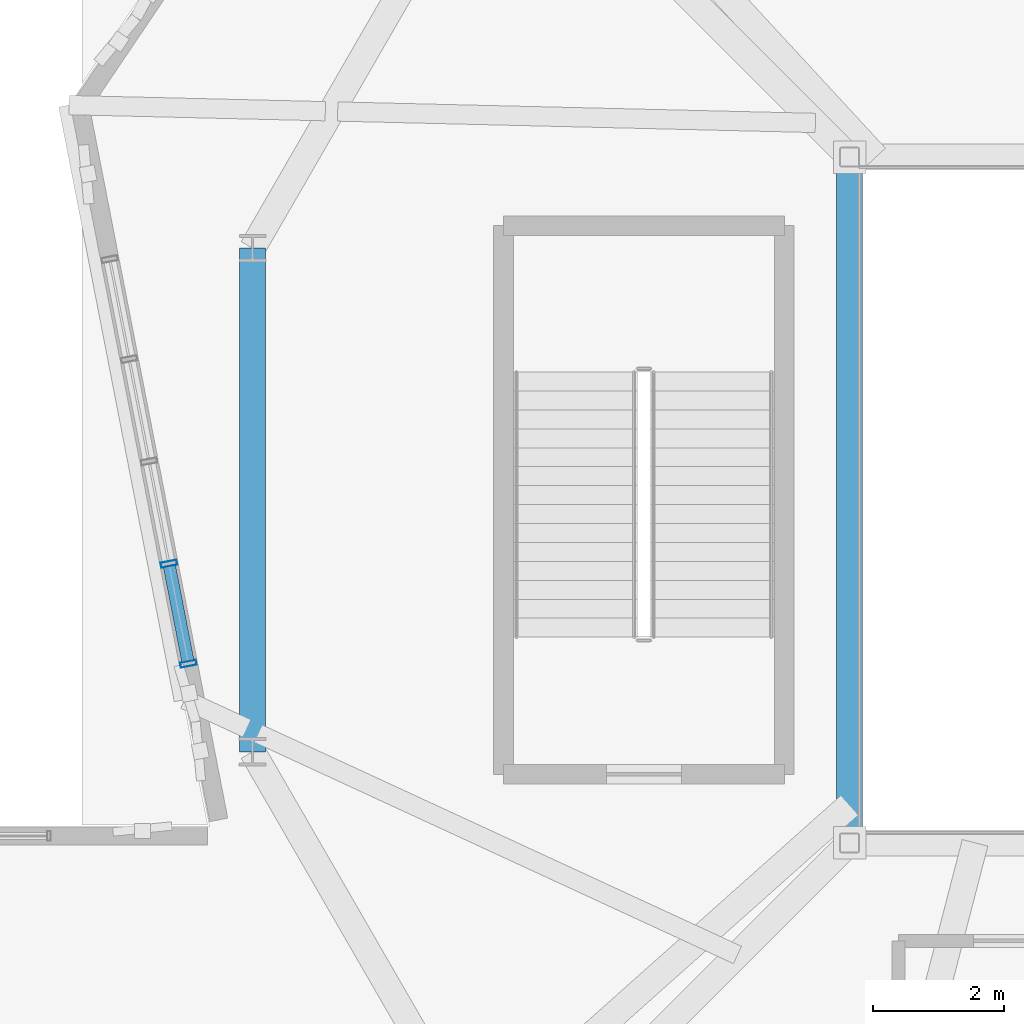
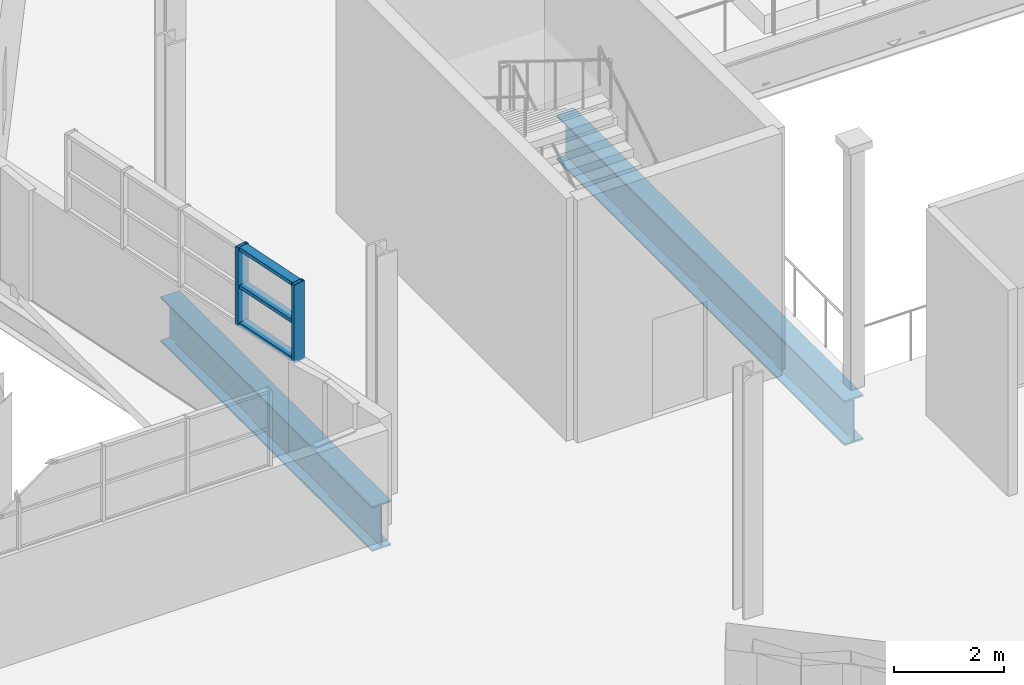
# One storey, part 27 of 142: 5 members, 2 beams, 1 element without a shape of its own.
"""IFC4 building model written with IfcOpenShell, lengths in metres."""

import ifcopenshell
import ifcopenshell.guid

model = None  # the IFC model being written
_history = None  # IfcOwnerHistory: only IFC2X3 demands one
_inside = {}  # id of a spatial element -> (the spatial element, [elements in it])
_under = {}  # id of a project, library or spatial element -> (it, [spatial elements below it])
_declared = {}  # id of a project -> (the project, [libraries it declares])
_typed = {}  # id of a type object -> (the type object, [elements of that type])
_made_of = {}  # id of a material, layer set ... -> (it, [elements and type objects made of it])


def new_model(schema):
    """Start an empty IFC model of exactly this schema.

    Asked for "IFC4X3", IfcOpenShell would pick the latest addendum, in which some entities
    have other attributes; the version numbers below select the first issue.
    IFC2X3 requires an IfcOwnerHistory on every rooted entity: one is made here for all.
    """
    global model, _history
    if schema == "IFC4X3":
        model = ifcopenshell.file(schema_version=(4, 3, 0, 0))
    else:
        model = ifcopenshell.file(schema=schema)
    _inside.clear()
    _under.clear()
    _declared.clear()
    _typed.clear()
    _made_of.clear()
    _history = None
    if model.schema == "IFC2X3":
        org = make("IfcOrganization", Name="unknown")
        user = make(
            "IfcPersonAndOrganization",
            ThePerson=make("IfcPerson", FamilyName="unknown"),
            TheOrganization=org,
        )
        app = make(
            "IfcApplication",
            ApplicationDeveloper=org,
            Version="unknown",
            ApplicationFullName="unknown",
            ApplicationIdentifier="unknown",
        )
        _history = make(
            "IfcOwnerHistory",
            OwningUser=user,
            OwningApplication=app,
            ChangeAction="ADDED",
            CreationDate=0,
        )
    return model


def make(cls, **values):
    """One entity of the class cls with the attributes given. An attribute that is None is left unset."""
    return model.create_entity(
        cls, **{name: value for name, value in values.items() if value is not None}
    )


def rooted(cls, **values):
    """An entity with a GlobalId (a new one), such as an element, a storey or a relation."""
    return make(cls, GlobalId=ifcopenshell.guid.new(), OwnerHistory=_history, **values)


def si_unit(unit_type, name, prefix=None):
    """IfcSIUnit, for example si_unit("LENGTHUNIT", "METRE", prefix="MILLI")."""
    return make("IfcSIUnit", UnitType=unit_type, Prefix=prefix, Name=name)


def assignment(units):
    """IfcUnitAssignment: the units of a project."""
    return None if units is None else make("IfcUnitAssignment", Units=units)


def point(xyz):
    """IfcCartesianPoint."""
    return None if xyz is None else make("IfcCartesianPoint", Coordinates=xyz)


def direction(xyz):
    """IfcDirection."""
    return None if xyz is None else make("IfcDirection", DirectionRatios=xyz)


def frame(location, z_axis=None, x_axis=None):
    """IfcAxis2Placement3D, a coordinate frame: its origin and axes. An axis left out is left unset."""
    return make(
        "IfcAxis2Placement3D",
        Location=point(location),
        Axis=direction(z_axis),
        RefDirection=direction(x_axis),
    )


def frame_2d(location, x_axis=None):
    """IfcAxis2Placement2D, a coordinate frame in the plane: its origin and x axis."""
    return make(
        "IfcAxis2Placement2D", Location=point(location), RefDirection=direction(x_axis)
    )


def origin():
    """The frame at (0, 0, 0) with its axes left unset."""
    return frame((0.0, 0.0, 0.0))


def origin_2d():
    """The frame at (0, 0) in the plane with its x axis left unset."""
    return frame_2d((0.0, 0.0))


def place(relative_to, where):
    """IfcLocalPlacement: puts the frame where relative to a parent placement (None: the world)."""
    return make(
        "IfcLocalPlacement", PlacementRelTo=relative_to, RelativePlacement=where
    )


def context(
    kind, dimensions, precision=None, world=None, true_north=None, identifier=None
):
    """IfcGeometricRepresentationContext, for example the 3D "Model" context."""
    return make(
        "IfcGeometricRepresentationContext",
        ContextIdentifier=identifier,
        ContextType=kind,
        CoordinateSpaceDimension=dimensions,
        Precision=precision,
        WorldCoordinateSystem=world,
        TrueNorth=true_north,
    )


def subcontext(parent, identifier, kind, view, scale=None):
    """IfcGeometricRepresentationSubContext, for example "Body" below "Model"."""
    return make(
        "IfcGeometricRepresentationSubContext",
        ContextIdentifier=identifier,
        ContextType=kind,
        ParentContext=parent,
        TargetScale=scale,
        TargetView=view,
    )


def project(units=None, contexts=None):
    """IfcProject with its units and contexts."""
    return rooted(
        "IfcProject",
        Name="project",
        RepresentationContexts=contexts,
        UnitsInContext=assignment(units),
    )


def spatial(cls, under=None, at=None, **own):
    """A site, building, storey or space (cls), placed at a placement, below another one or the project."""
    s = rooted(cls, ObjectPlacement=at, **own)
    if under is not None:
        _under.setdefault(under.id(), (under, []))[1].append(s)
    return s


def profile(cls, at=None, kind="AREA", **sizes):
    """A parametric profile (cls). Its sizes go by their IFC names, for example OverallWidth=200.0."""
    return make(cls, ProfileType=kind, Position=at, **sizes)


def hollow_rectangle(**sizes):
    """IfcRectangleHollowProfileDef."""
    return profile("IfcRectangleHollowProfileDef", **sizes)


def i_section(**sizes):
    """IfcIShapeProfileDef."""
    return profile("IfcIShapeProfileDef", **sizes)


def extrude(swept, where, along, depth):
    """IfcExtrudedAreaSolid: the profile swept, set in the frame where, extruded along a direction by depth."""
    return make(
        "IfcExtrudedAreaSolid",
        SweptArea=swept,
        Position=where,
        ExtrudedDirection=direction(along),
        Depth=depth,
    )


def shape(context_of_items, identifier, shape_type, items):
    """IfcShapeRepresentation: the items that make up one representation, for example the "Body"."""
    return make(
        "IfcShapeRepresentation",
        ContextOfItems=context_of_items,
        RepresentationIdentifier=identifier,
        RepresentationType=shape_type,
        Items=items,
    )


def material(Name=None, Category=None):
    """IfcMaterial."""
    return make("IfcMaterial", Name=Name, Category=Category)


def layer(
    of_material, thickness, ventilated=None, Name=None, Category=None, Priority=None
):
    """IfcMaterialLayer: one layer of a wall or slab, of a material (None: an air gap)."""
    return make(
        "IfcMaterialLayer",
        Material=of_material,
        LayerThickness=thickness,
        IsVentilated=ventilated,
        Name=Name,
        Category=Category,
        Priority=Priority,
    )


def layer_set(layers, Name=None):
    """IfcMaterialLayerSet."""
    return make("IfcMaterialLayerSet", MaterialLayers=layers, LayerSetName=Name)


def material_profile(
    of_material, cross_section, Name=None, Category=None, Priority=None
):
    """IfcMaterialProfile: a cross section and its material."""
    return make(
        "IfcMaterialProfile",
        Name=Name,
        Material=of_material,
        Profile=cross_section,
        Priority=Priority,
        Category=Category,
    )


def profile_set(profiles, Name=None, composite=None):
    """IfcMaterialProfileSet."""
    return make(
        "IfcMaterialProfileSet",
        Name=Name,
        MaterialProfiles=profiles,
        CompositeProfile=composite,
    )


def made_of(thing, what):
    """Note that an element or type object is made of a material, layer set ...; save() writes the relation."""
    if what is not None:
        _made_of.setdefault(what.id(), (what, []))[1].append(thing)
    return thing


def type_object(cls, material=None, **own):
    """A type object (cls), such as IfcWallType, which elements share."""
    return made_of(rooted(cls, **own), material)


def element(
    cls,
    number,
    at=None,
    inside=None,
    cuts=None,
    type_object=None,
    material=None,
    context=None,
    identifier="Body",
    shape_type=None,
    held_by="IfcProductDefinitionShape",
    body=None,
    shapes=None,
    **own,
):
    """One element of the class cls, such as IfcWall. Its Tag is "e" and its number.

    at: its placement. inside: the storey or other place that contains it. cuts: it is an
    opening in that element (IfcRelVoidsElement). A single representation is given by context,
    identifier, shape_type and body (its items); several are given by shapes. held_by: the class
    of the entity that holds the representations. save() writes the other relations.
    """
    e = rooted(cls, Tag="e%d" % number, ObjectPlacement=at, **own)
    if body is not None:
        shapes = [shape(context, identifier, shape_type, body)]
    if shapes is not None:
        e.Representation = make(held_by, Representations=shapes)
    if inside is not None:
        _inside.setdefault(inside.id(), (inside, []))[1].append(e)
    if cuts is not None:
        rooted(
            "IfcRelVoidsElement", RelatingBuildingElement=cuts, RelatedOpeningElement=e
        )
    if type_object is not None:
        _typed.setdefault(type_object.id(), (type_object, []))[1].append(e)
    return made_of(e, material)


def aggregate(whole, parts):
    """IfcRelAggregates: a whole, such as a stair, and the parts it consists of."""
    return rooted("IfcRelAggregates", RelatingObject=whole, RelatedObjects=parts)


def save(model, path):
    """Write the relations noted so far, then the file.

    IfcRelAggregates (storeys below a building ...), IfcRelContainedInSpatialStructure (elements
    in a storey), IfcRelDefinesByType, IfcRelAssociatesMaterial and IfcRelDeclares: one each for
    every whole, place, type object, material and project.
    """
    for whole, parts in _under.values():
        aggregate(whole, parts)
    for where, things in _inside.values():
        rooted(
            "IfcRelContainedInSpatialStructure",
            RelatedElements=things,
            RelatingStructure=where,
        )
    for kind, things in _typed.values():
        rooted("IfcRelDefinesByType", RelatedObjects=things, RelatingType=kind)
    for what, things in _made_of.values():
        rooted("IfcRelAssociatesMaterial", RelatedObjects=things, RelatingMaterial=what)
    for by, libraries in _declared.values():
        rooted("IfcRelDeclares", RelatingContext=by, RelatedDefinitions=libraries)
    model.write(path)


model = new_model("IFC4")

# Units and contexts
model_context = context("Model", 3, precision=1e-05, world=origin(), true_north=direction((0.0, 1.0)))
body_context = subcontext(model_context, "Body", "Model", "MODEL_VIEW")
ifc_project = project(units=[si_unit("LENGTHUNIT", "METRE"), si_unit("AREAUNIT", "SQUARE_METRE"), si_unit("VOLUMEUNIT", "CUBIC_METRE"), si_unit("PLANEANGLEUNIT", "RADIAN"), si_unit("MASSUNIT", "GRAM", prefix="KILO"), si_unit("THERMODYNAMICTEMPERATUREUNIT", "KELVIN"), si_unit("POWERUNIT", "WATT")], contexts=[model_context])

# Site, building, storey
site_placement = place(None, origin())
site = spatial("IfcSite", under=ifc_project, at=site_placement, CompositionType="ELEMENT")
building_placement = place(site_placement, origin())
building = spatial("IfcBuilding", under=site, at=building_placement, Name="Zelmaris Science Centre", CompositionType="ELEMENT")
storey_placement = place(building_placement, frame((0.0, 0.0, 5.39990234375)))
storey = spatial("IfcBuildingStorey", under=building, at=storey_placement, Name="L01", CompositionType="ELEMENT", Elevation=5.39990234375)

# Curtain wall, members
ifc_material_1 = material(Name="Anodised architectural aluminium 6063-T6", Category="aluminium")
ifc_layer = layer(ifc_material_1, 0.18994140625, Name="Anodised architectural aluminium 6063-T6")
ifc_layer_set = layer_set([ifc_layer], Name="Anodised architectural aluminium 6063-T6")
curtain_wall_type = type_object("IfcCurtainWallType", Name="Curtain Wall CW-01", PredefinedType="USERDEFINED", material=ifc_layer_set)
curtain_wall_placement = place(storey_placement, origin())
curtain_wall = element("IfcCurtainWall", 1, at=curtain_wall_placement, inside=storey, type_object=curtain_wall_type, Name="L01 Clerestory curtain wall 193", ObjectType="GLAZED CURTAIN WALL", PredefinedType="USERDEFINED")
ifc_material_profile_1 = material_profile(ifc_material_1, hollow_rectangle(XDim=0.080078125, YDim=0.25, WallThickness=0.0048828125, at=origin_2d()), Name="ALU-MUL-80X250")
ifc_profile_set_1 = profile_set([ifc_material_profile_1], Name="Anodised architectural aluminium 6063-T6")
member_type_1 = type_object("IfcMemberType", Name="ALU-MUL-80X250", PredefinedType="MULLION", material=ifc_profile_set_1)
member_1_placement = place(storey_placement, frame((65.62548828125, 33.4931640625, 2.420166015625), z_axis=(0.0, 0.0, 1.0), x_axis=(-0.190802142321, 0.981628515522, 0.0)))
member_1 = element("IfcMember", 2, at=member_1_placement, type_object=member_type_1, Name="CW-01 mullion 1", PredefinedType="MULLION", context=body_context, shape_type="SweptSolid", body=[
    extrude(hollow_rectangle(XDim=0.080078125, YDim=0.25, WallThickness=0.0048828125, at=origin_2d()), origin(), (0.0, 0.0, 1.0), 1.743896484375),
])
member_2_placement = place(storey_placement, frame((65.327880859375, 35.02392578125, 2.420166015625), z_axis=(0.0, 0.0, 1.0), x_axis=(-0.190802142321, 0.981628515522, 0.0)))
member_2 = element("IfcMember", 3, at=member_2_placement, type_object=member_type_1, Name="CW-01 mullion 2", PredefinedType="MULLION", context=body_context, shape_type="SweptSolid", body=[
    extrude(hollow_rectangle(XDim=0.080078125, YDim=0.25, WallThickness=0.0048828125, at=origin_2d()), origin(), (0.0, 0.0, 1.0), 1.743896484375),
])
ifc_material_profile_2 = material_profile(ifc_material_1, hollow_rectangle(XDim=0.080078125, YDim=0.18994140625, WallThickness=0.00439453125, at=origin_2d()), Name="ALU-TRN-80X190")
ifc_profile_set_2 = profile_set([ifc_material_profile_2], Name="Anodised architectural aluminium 6063-T6")
member_type_2 = type_object("IfcMemberType", Name="ALU-TRN-80X190", PredefinedType="USERDEFINED", material=ifc_profile_set_2)
member_3_placement = place(storey_placement, frame((65.61865234375, 33.528564453125, 2.4560546875), z_axis=(-0.190904807525, 0.9816085546, 0.0), x_axis=(0.0, 0.0, 1.0)))
member_3 = element("IfcMember", 4, at=member_3_placement, type_object=member_type_2, Name="CW-01 transom 1.1", ObjectType="TRANSOM", PredefinedType="USERDEFINED", context=body_context, shape_type="SweptSolid", body=[
    extrude(hollow_rectangle(XDim=0.080078125, YDim=0.18994140625, WallThickness=0.00439453125, at=origin_2d()), origin(), (0.0, 0.0, 1.0), 1.4873046875),
])
member_4_placement = place(storey_placement, frame((65.61865234375, 33.528564453125, 3.2919921875), z_axis=(-0.190904807525, 0.9816085546, 0.0), x_axis=(0.0, 0.0, 1.0)))
member_4 = element("IfcMember", 5, at=member_4_placement, type_object=member_type_2, Name="CW-01 transom 1.2", ObjectType="TRANSOM", PredefinedType="USERDEFINED", context=body_context, shape_type="SweptSolid", body=[
    extrude(hollow_rectangle(XDim=0.080078125, YDim=0.18994140625, WallThickness=0.00439453125, at=origin_2d()), origin(), (0.0, 0.0, 1.0), 1.4873046875),
])
member_5_placement = place(storey_placement, frame((65.61865234375, 33.528564453125, 4.128173828125), z_axis=(-0.190904807525, 0.9816085546, 0.0), x_axis=(0.0, 0.0, 1.0)))
member_5 = element("IfcMember", 6, at=member_5_placement, type_object=member_type_2, Name="CW-01 transom 1.3", ObjectType="TRANSOM", PredefinedType="USERDEFINED", context=body_context, shape_type="SweptSolid", body=[
    extrude(hollow_rectangle(XDim=0.080078125, YDim=0.18994140625, WallThickness=0.00439453125, at=origin_2d()), origin(), (0.0, 0.0, 1.0), 1.4873046875),
])
aggregate(curtain_wall, [member_1, member_2, member_3, member_4, member_5])

# Beams
ifc_material_2 = material(Name="Steel ASTM A992 Grade 50", Category="steel")
ifc_material_profile_3 = material_profile(ifc_material_2, i_section(OverallWidth=0.40087890625, OverallDepth=1.0009765625, WebThickness=0.01904296875, FlangeThickness=0.0361328125, FilletRadius=0.02490234375, at=origin_2d()), Name="W40X249")
ifc_profile_set_3 = profile_set([ifc_material_profile_3], Name="Steel ASTM A992 Grade 50")
beam_type = type_object("IfcBeamType", Name="Beam G-22 W40X249", PredefinedType="BEAM", material=ifc_profile_set_3)
beam_1_placement = place(storey_placement, frame((66.607666015625, 39.8564453125, -0.80029296875), z_axis=(0.0, -1.0, 0.0), x_axis=(1.0, 0.0, 0.0)))
element("IfcBeam", 7, at=beam_1_placement, inside=storey, type_object=beam_type, Name="L01 Exhibition inner ring girder 6", PredefinedType="BEAM", context=body_context, shape_type="SweptSolid", body=[
    extrude(i_section(OverallWidth=0.40087890625, OverallDepth=1.0009765625, WebThickness=0.01904296875, FlangeThickness=0.0361328125, FilletRadius=0.02490234375, at=origin_2d()), origin(), (0.0, 0.0, 1.0), 7.712890625),
])
beam_2_placement = place(storey_placement, frame((75.75, 41.25, -0.80029296875), z_axis=(0.0, -1.0, 0.0), x_axis=(1.0, 0.0, 0.0)))
element("IfcBeam", 8, at=beam_2_placement, inside=storey, type_object=beam_type, Name="L01 Atrium framing girder 4", PredefinedType="BEAM", context=body_context, shape_type="SweptSolid", body=[
    extrude(i_section(OverallWidth=0.40087890625, OverallDepth=1.0009765625, WebThickness=0.01904296875, FlangeThickness=0.0361328125, FilletRadius=0.02490234375, at=origin_2d()), origin(), (0.0, 0.0, 1.0), 10.5),
])

save(model, "model.ifc")
